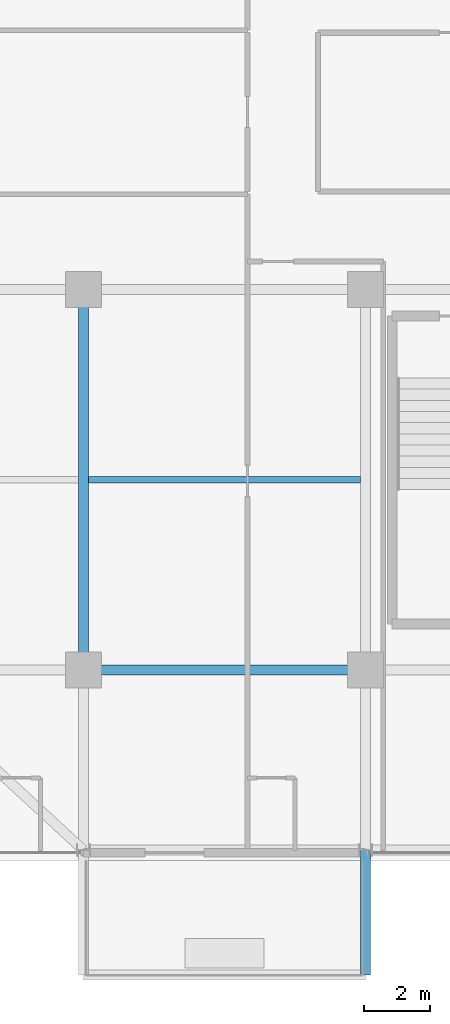
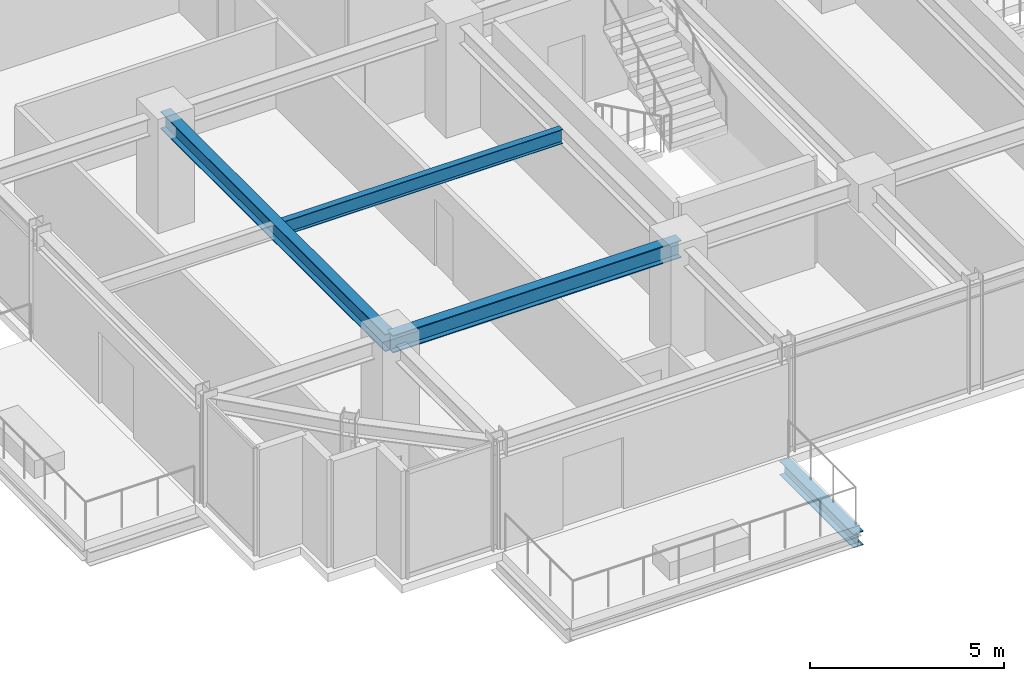
# One storey, part 5 of 31: 4 beams.
"""IFC4 building model written with IfcOpenShell, lengths in metres."""

import ifcopenshell
import ifcopenshell.guid

model = None  # the IFC model being written
_history = None  # IfcOwnerHistory: only IFC2X3 demands one
_inside = {}  # id of a spatial element -> (the spatial element, [elements in it])
_under = {}  # id of a project, library or spatial element -> (it, [spatial elements below it])
_declared = {}  # id of a project -> (the project, [libraries it declares])
_typed = {}  # id of a type object -> (the type object, [elements of that type])
_made_of = {}  # id of a material, layer set ... -> (it, [elements and type objects made of it])


def new_model(schema):
    """Start an empty IFC model of exactly this schema.

    Asked for "IFC4X3", IfcOpenShell would pick the latest addendum, in which some entities
    have other attributes; the version numbers below select the first issue.
    IFC2X3 requires an IfcOwnerHistory on every rooted entity: one is made here for all.
    """
    global model, _history
    if schema == "IFC4X3":
        model = ifcopenshell.file(schema_version=(4, 3, 0, 0))
    else:
        model = ifcopenshell.file(schema=schema)
    _inside.clear()
    _under.clear()
    _declared.clear()
    _typed.clear()
    _made_of.clear()
    _history = None
    if model.schema == "IFC2X3":
        org = make("IfcOrganization", Name="unknown")
        user = make(
            "IfcPersonAndOrganization",
            ThePerson=make("IfcPerson", FamilyName="unknown"),
            TheOrganization=org,
        )
        app = make(
            "IfcApplication",
            ApplicationDeveloper=org,
            Version="unknown",
            ApplicationFullName="unknown",
            ApplicationIdentifier="unknown",
        )
        _history = make(
            "IfcOwnerHistory",
            OwningUser=user,
            OwningApplication=app,
            ChangeAction="ADDED",
            CreationDate=0,
        )
    return model


def make(cls, **values):
    """One entity of the class cls with the attributes given. An attribute that is None is left unset."""
    return model.create_entity(
        cls, **{name: value for name, value in values.items() if value is not None}
    )


def rooted(cls, **values):
    """An entity with a GlobalId (a new one), such as an element, a storey or a relation."""
    return make(cls, GlobalId=ifcopenshell.guid.new(), OwnerHistory=_history, **values)


def si_unit(unit_type, name, prefix=None):
    """IfcSIUnit, for example si_unit("LENGTHUNIT", "METRE", prefix="MILLI")."""
    return make("IfcSIUnit", UnitType=unit_type, Prefix=prefix, Name=name)


def assignment(units):
    """IfcUnitAssignment: the units of a project."""
    return None if units is None else make("IfcUnitAssignment", Units=units)


def point(xyz):
    """IfcCartesianPoint."""
    return None if xyz is None else make("IfcCartesianPoint", Coordinates=xyz)


def direction(xyz):
    """IfcDirection."""
    return None if xyz is None else make("IfcDirection", DirectionRatios=xyz)


def frame(location, z_axis=None, x_axis=None):
    """IfcAxis2Placement3D, a coordinate frame: its origin and axes. An axis left out is left unset."""
    return make(
        "IfcAxis2Placement3D",
        Location=point(location),
        Axis=direction(z_axis),
        RefDirection=direction(x_axis),
    )


def frame_2d(location, x_axis=None):
    """IfcAxis2Placement2D, a coordinate frame in the plane: its origin and x axis."""
    return make(
        "IfcAxis2Placement2D", Location=point(location), RefDirection=direction(x_axis)
    )


def origin():
    """The frame at (0, 0, 0) with its axes left unset."""
    return frame((0.0, 0.0, 0.0))


def origin_2d():
    """The frame at (0, 0) in the plane with its x axis left unset."""
    return frame_2d((0.0, 0.0))


def place(relative_to, where):
    """IfcLocalPlacement: puts the frame where relative to a parent placement (None: the world)."""
    return make(
        "IfcLocalPlacement", PlacementRelTo=relative_to, RelativePlacement=where
    )


def context(
    kind, dimensions, precision=None, world=None, true_north=None, identifier=None
):
    """IfcGeometricRepresentationContext, for example the 3D "Model" context."""
    return make(
        "IfcGeometricRepresentationContext",
        ContextIdentifier=identifier,
        ContextType=kind,
        CoordinateSpaceDimension=dimensions,
        Precision=precision,
        WorldCoordinateSystem=world,
        TrueNorth=true_north,
    )


def subcontext(parent, identifier, kind, view, scale=None):
    """IfcGeometricRepresentationSubContext, for example "Body" below "Model"."""
    return make(
        "IfcGeometricRepresentationSubContext",
        ContextIdentifier=identifier,
        ContextType=kind,
        ParentContext=parent,
        TargetScale=scale,
        TargetView=view,
    )


def project(units=None, contexts=None):
    """IfcProject with its units and contexts."""
    return rooted(
        "IfcProject",
        Name="project",
        RepresentationContexts=contexts,
        UnitsInContext=assignment(units),
    )


def spatial(cls, under=None, at=None, **own):
    """A site, building, storey or space (cls), placed at a placement, below another one or the project."""
    s = rooted(cls, ObjectPlacement=at, **own)
    if under is not None:
        _under.setdefault(under.id(), (under, []))[1].append(s)
    return s


def profile(cls, at=None, kind="AREA", **sizes):
    """A parametric profile (cls). Its sizes go by their IFC names, for example OverallWidth=200.0."""
    return make(cls, ProfileType=kind, Position=at, **sizes)


def i_section(**sizes):
    """IfcIShapeProfileDef."""
    return profile("IfcIShapeProfileDef", **sizes)


def extrude(swept, where, along, depth):
    """IfcExtrudedAreaSolid: the profile swept, set in the frame where, extruded along a direction by depth."""
    return make(
        "IfcExtrudedAreaSolid",
        SweptArea=swept,
        Position=where,
        ExtrudedDirection=direction(along),
        Depth=depth,
    )


def shape(context_of_items, identifier, shape_type, items):
    """IfcShapeRepresentation: the items that make up one representation, for example the "Body"."""
    return make(
        "IfcShapeRepresentation",
        ContextOfItems=context_of_items,
        RepresentationIdentifier=identifier,
        RepresentationType=shape_type,
        Items=items,
    )


def source(mapping_origin, context_of_items, identifier, shape_type, items):
    """IfcRepresentationMap: a shape defined once, which mapped items show again and again."""
    return make(
        "IfcRepresentationMap",
        MappingOrigin=mapping_origin,
        MappedRepresentation=shape(context_of_items, identifier, shape_type, items),
    )


def transform(
    local_origin,
    x_axis=None,
    y_axis=None,
    z_axis=None,
    scale=None,
    scale2=None,
    scale3=None,
    uniform=True,
):
    """IfcCartesianTransformationOperator3D, or its non-uniform kind. x_axis, y_axis, z_axis: its Axis1, 2, 3."""
    if uniform:
        return make(
            "IfcCartesianTransformationOperator3D",
            Axis1=direction(x_axis),
            Axis2=direction(y_axis),
            LocalOrigin=point(local_origin),
            Scale=scale,
            Axis3=direction(z_axis),
        )
    return make(
        "IfcCartesianTransformationOperator3DnonUniform",
        Axis1=direction(x_axis),
        Axis2=direction(y_axis),
        LocalOrigin=point(local_origin),
        Scale=scale,
        Axis3=direction(z_axis),
        Scale2=scale2,
        Scale3=scale3,
    )


def mapped(mapping_source, mapping_target):
    """IfcMappedItem: shows the shape of a source again, moved by a transform."""
    return make(
        "IfcMappedItem", MappingSource=mapping_source, MappingTarget=mapping_target
    )


def material(Name=None, Category=None):
    """IfcMaterial."""
    return make("IfcMaterial", Name=Name, Category=Category)


def material_profile(
    of_material, cross_section, Name=None, Category=None, Priority=None
):
    """IfcMaterialProfile: a cross section and its material."""
    return make(
        "IfcMaterialProfile",
        Name=Name,
        Material=of_material,
        Profile=cross_section,
        Priority=Priority,
        Category=Category,
    )


def profile_set(profiles, Name=None, composite=None):
    """IfcMaterialProfileSet."""
    return make(
        "IfcMaterialProfileSet",
        Name=Name,
        MaterialProfiles=profiles,
        CompositeProfile=composite,
    )


def made_of(thing, what):
    """Note that an element or type object is made of a material, layer set ...; save() writes the relation."""
    if what is not None:
        _made_of.setdefault(what.id(), (what, []))[1].append(thing)
    return thing


def type_object(cls, material=None, **own):
    """A type object (cls), such as IfcWallType, which elements share."""
    return made_of(rooted(cls, **own), material)


def element(
    cls,
    number,
    at=None,
    inside=None,
    cuts=None,
    type_object=None,
    material=None,
    context=None,
    identifier="Body",
    shape_type=None,
    held_by="IfcProductDefinitionShape",
    body=None,
    shapes=None,
    **own,
):
    """One element of the class cls, such as IfcWall. Its Tag is "e" and its number.

    at: its placement. inside: the storey or other place that contains it. cuts: it is an
    opening in that element (IfcRelVoidsElement). A single representation is given by context,
    identifier, shape_type and body (its items); several are given by shapes. held_by: the class
    of the entity that holds the representations. save() writes the other relations.
    """
    e = rooted(cls, Tag="e%d" % number, ObjectPlacement=at, **own)
    if body is not None:
        shapes = [shape(context, identifier, shape_type, body)]
    if shapes is not None:
        e.Representation = make(held_by, Representations=shapes)
    if inside is not None:
        _inside.setdefault(inside.id(), (inside, []))[1].append(e)
    if cuts is not None:
        rooted(
            "IfcRelVoidsElement", RelatingBuildingElement=cuts, RelatedOpeningElement=e
        )
    if type_object is not None:
        _typed.setdefault(type_object.id(), (type_object, []))[1].append(e)
    return made_of(e, material)


def aggregate(whole, parts):
    """IfcRelAggregates: a whole, such as a stair, and the parts it consists of."""
    return rooted("IfcRelAggregates", RelatingObject=whole, RelatedObjects=parts)


def save(model, path):
    """Write the relations noted so far, then the file.

    IfcRelAggregates (storeys below a building ...), IfcRelContainedInSpatialStructure (elements
    in a storey), IfcRelDefinesByType, IfcRelAssociatesMaterial and IfcRelDeclares: one each for
    every whole, place, type object, material and project.
    """
    for whole, parts in _under.values():
        aggregate(whole, parts)
    for where, things in _inside.values():
        rooted(
            "IfcRelContainedInSpatialStructure",
            RelatedElements=things,
            RelatingStructure=where,
        )
    for kind, things in _typed.values():
        rooted("IfcRelDefinesByType", RelatedObjects=things, RelatingType=kind)
    for what, things in _made_of.values():
        rooted("IfcRelAssociatesMaterial", RelatedObjects=things, RelatingMaterial=what)
    for by, libraries in _declared.values():
        rooted("IfcRelDeclares", RelatingContext=by, RelatedDefinitions=libraries)
    model.write(path)


model = new_model("IFC4")

# Units and contexts
model_context = context("Model", 3, precision=1e-05, world=origin(), true_north=direction((0.0, 1.0)))
body_context = subcontext(model_context, "Body", "Model", "MODEL_VIEW")
ifc_project = project(units=[si_unit("LENGTHUNIT", "METRE"), si_unit("AREAUNIT", "SQUARE_METRE"), si_unit("VOLUMEUNIT", "CUBIC_METRE"), si_unit("PLANEANGLEUNIT", "RADIAN"), si_unit("MASSUNIT", "GRAM", prefix="KILO")], contexts=[model_context])

# Site, building, storey
site_placement = place(None, origin())
site = spatial("IfcSite", under=ifc_project, at=site_placement, CompositionType="ELEMENT")
building_placement = place(site_placement, origin())
building = spatial("IfcBuilding", under=site, at=building_placement, Name="Nahalor Promenade Grand Hotel", CompositionType="ELEMENT")
storey_placement = place(building_placement, frame((0.0, 0.0, 156.300048828125)))
storey = spatial("IfcBuildingStorey", under=building, at=storey_placement, Name="L39", CompositionType="ELEMENT", Elevation=156.300048828125)

# Beams
ifc_material = material(Name="Steel S355JR", Category="steel")
ifc_material_profile_1 = material_profile(ifc_material, i_section(OverallWidth=0.3, OverallDepth=0.45, WebThickness=0.014, FlangeThickness=0.026, at=origin_2d()), Name="HEB 450")
ifc_profile_set_1 = profile_set([ifc_material_profile_1], Name="Steel S355JR")
beam_type_1 = type_object("IfcBeamType", Name="Beam-Outrigger-HEB450", PredefinedType="BEAM", material=ifc_profile_set_1)
shared_shape_1 = source(origin(), body_context, "Body", "SweptSolid", [
    extrude(i_section(OverallWidth=0.3, OverallDepth=0.45, WebThickness=0.014, FlangeThickness=0.026, at=origin_2d()), origin(), (0.0, 0.0, 1.0), 3.81005859375),
])
beam_1_placement = place(storey_placement, frame((-8.39990234375, -26.2900390625, -0.505126953125), z_axis=(0.0, 1.0, 0.0), x_axis=(-1.0, 0.0, 0.0)))
element("IfcBeam", 1, at=beam_1_placement, inside=storey, type_object=beam_type_1, Name="BM-L39-BC-01-2", PredefinedType="BEAM", context=body_context, shape_type="MappedRepresentation", body=[
    mapped(shared_shape_1, transform((0.0, 0.0, 0.0), scale=1.0)),
])
ifc_material_profile_2 = material_profile(ifc_material, i_section(OverallWidth=0.3, OverallDepth=0.55, WebThickness=0.015, FlangeThickness=0.029, at=origin_2d()), Name="HEB 550")
ifc_profile_set_2 = profile_set([ifc_material_profile_2], Name="Steel S355JR")
beam_type_2 = type_object("IfcBeamType", Name="Beam-Girder-HEB550", PredefinedType="BEAM", material=ifc_profile_set_2)
shared_shape_2 = source(origin(), body_context, "Body", "SweptSolid", [
    extrude(i_section(OverallWidth=0.3, OverallDepth=0.55, WebThickness=0.015, FlangeThickness=0.029, at=origin_2d()), origin(), (0.0, 0.0, 1.0), 8.60009765625),
])
beam_2_placement = place(storey_placement, frame((-17.0, -17.0, 3.114990234375), z_axis=(1.0, 0.0, 0.0), x_axis=(0.0, 1.0, 0.0)))
element("IfcBeam", 2, at=beam_2_placement, inside=storey, type_object=beam_type_2, Name="BM-L39-GX-0-1", PredefinedType="BEAM", context=body_context, shape_type="MappedRepresentation", body=[
    mapped(shared_shape_2, transform((0.0, 0.0, 0.0), scale=1.0)),
])
shared_shape_3 = source(origin(), body_context, "Body", "SweptSolid", [
    extrude(i_section(OverallWidth=0.3, OverallDepth=0.55, WebThickness=0.015, FlangeThickness=0.029, at=origin_2d()), origin(), (0.0, 0.0, 1.0), 11.60009765625),
])
beam_3_placement = place(storey_placement, frame((-17.0, -17.0, 3.114990234375), z_axis=(0.0, 1.0, 0.0), x_axis=(-1.0, 0.0, 0.0)))
element("IfcBeam", 3, at=beam_3_placement, inside=storey, type_object=beam_type_2, Name="BM-L39-GY-0-1", PredefinedType="BEAM", context=body_context, shape_type="MappedRepresentation", body=[
    mapped(shared_shape_3, transform((0.0, 0.0, 0.0), scale=1.0)),
])
ifc_material_profile_3 = material_profile(ifc_material, i_section(OverallWidth=0.19, OverallDepth=0.45, WebThickness=0.0094, FlangeThickness=0.0146, at=origin_2d()), Name="IPE 450")
ifc_profile_set_3 = profile_set([ifc_material_profile_3], Name="Steel S355JR")
beam_type_3 = type_object("IfcBeamType", Name="Beam-Joist-IPE450", PredefinedType="JOIST", material=ifc_profile_set_3)
shared_shape_4 = source(origin(), body_context, "Body", "SweptSolid", [
    extrude(i_section(OverallWidth=0.19, OverallDepth=0.45, WebThickness=0.0094, FlangeThickness=0.0146, at=origin_2d()), origin(), (0.0, 0.0, 1.0), 8.300048828125),
])
beam_4_placement = place(storey_placement, frame((-16.85009765625, -11.199951171875, 3.1650390625), z_axis=(1.0, 0.0, 0.0), x_axis=(0.0, 1.0, 0.0)))
element("IfcBeam", 4, at=beam_4_placement, inside=storey, type_object=beam_type_3, Name="BM-L39-JSW-0-1", PredefinedType="JOIST", context=body_context, shape_type="MappedRepresentation", body=[
    mapped(shared_shape_4, transform((0.0, 0.0, 0.0), scale=1.0)),
])

save(model, "model.ifc")
